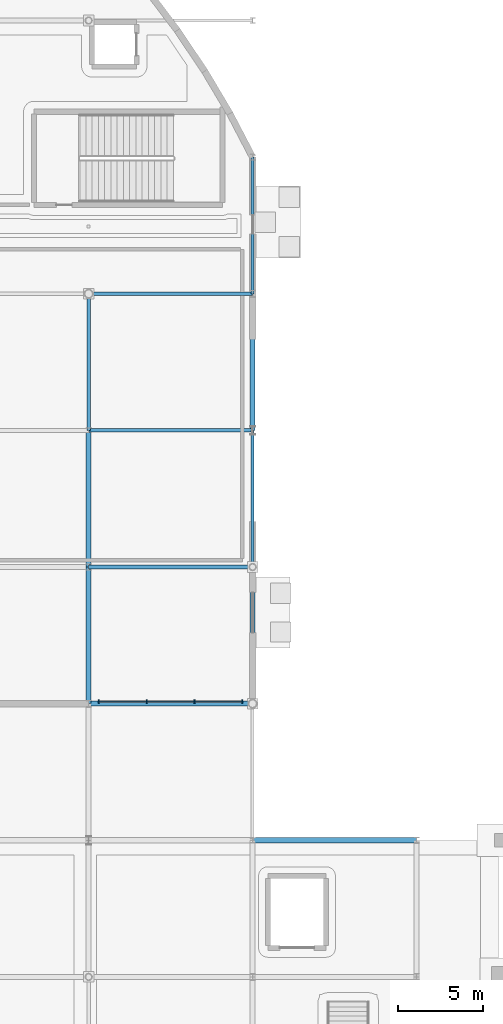
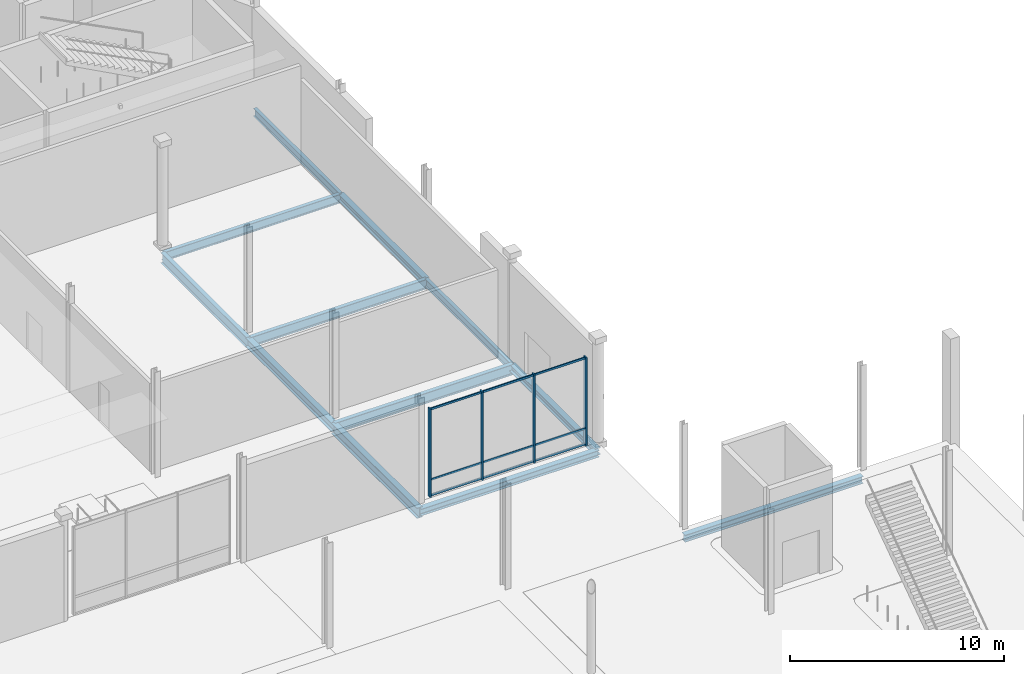
# One storey, part 64 of 124: 12 beams, 7 members, 1 element without a shape of its own.
"""IFC4 building model written with IfcOpenShell, lengths in metres."""

import ifcopenshell
import ifcopenshell.guid

model = None  # the IFC model being written
_history = None  # IfcOwnerHistory: only IFC2X3 demands one
_inside = {}  # id of a spatial element -> (the spatial element, [elements in it])
_under = {}  # id of a project, library or spatial element -> (it, [spatial elements below it])
_declared = {}  # id of a project -> (the project, [libraries it declares])
_typed = {}  # id of a type object -> (the type object, [elements of that type])
_made_of = {}  # id of a material, layer set ... -> (it, [elements and type objects made of it])


def new_model(schema):
    """Start an empty IFC model of exactly this schema.

    Asked for "IFC4X3", IfcOpenShell would pick the latest addendum, in which some entities
    have other attributes; the version numbers below select the first issue.
    IFC2X3 requires an IfcOwnerHistory on every rooted entity: one is made here for all.
    """
    global model, _history
    if schema == "IFC4X3":
        model = ifcopenshell.file(schema_version=(4, 3, 0, 0))
    else:
        model = ifcopenshell.file(schema=schema)
    _inside.clear()
    _under.clear()
    _declared.clear()
    _typed.clear()
    _made_of.clear()
    _history = None
    if model.schema == "IFC2X3":
        org = make("IfcOrganization", Name="unknown")
        user = make(
            "IfcPersonAndOrganization",
            ThePerson=make("IfcPerson", FamilyName="unknown"),
            TheOrganization=org,
        )
        app = make(
            "IfcApplication",
            ApplicationDeveloper=org,
            Version="unknown",
            ApplicationFullName="unknown",
            ApplicationIdentifier="unknown",
        )
        _history = make(
            "IfcOwnerHistory",
            OwningUser=user,
            OwningApplication=app,
            ChangeAction="ADDED",
            CreationDate=0,
        )
    return model


def make(cls, **values):
    """One entity of the class cls with the attributes given. An attribute that is None is left unset."""
    return model.create_entity(
        cls, **{name: value for name, value in values.items() if value is not None}
    )


def rooted(cls, **values):
    """An entity with a GlobalId (a new one), such as an element, a storey or a relation."""
    return make(cls, GlobalId=ifcopenshell.guid.new(), OwnerHistory=_history, **values)


def si_unit(unit_type, name, prefix=None):
    """IfcSIUnit, for example si_unit("LENGTHUNIT", "METRE", prefix="MILLI")."""
    return make("IfcSIUnit", UnitType=unit_type, Prefix=prefix, Name=name)


def assignment(units):
    """IfcUnitAssignment: the units of a project."""
    return None if units is None else make("IfcUnitAssignment", Units=units)


def point(xyz):
    """IfcCartesianPoint."""
    return None if xyz is None else make("IfcCartesianPoint", Coordinates=xyz)


def direction(xyz):
    """IfcDirection."""
    return None if xyz is None else make("IfcDirection", DirectionRatios=xyz)


def frame(location, z_axis=None, x_axis=None):
    """IfcAxis2Placement3D, a coordinate frame: its origin and axes. An axis left out is left unset."""
    return make(
        "IfcAxis2Placement3D",
        Location=point(location),
        Axis=direction(z_axis),
        RefDirection=direction(x_axis),
    )


def frame_2d(location, x_axis=None):
    """IfcAxis2Placement2D, a coordinate frame in the plane: its origin and x axis."""
    return make(
        "IfcAxis2Placement2D", Location=point(location), RefDirection=direction(x_axis)
    )


def origin():
    """The frame at (0, 0, 0) with its axes left unset."""
    return frame((0.0, 0.0, 0.0))


def origin_2d():
    """The frame at (0, 0) in the plane with its x axis left unset."""
    return frame_2d((0.0, 0.0))


def place(relative_to, where):
    """IfcLocalPlacement: puts the frame where relative to a parent placement (None: the world)."""
    return make(
        "IfcLocalPlacement", PlacementRelTo=relative_to, RelativePlacement=where
    )


def context(
    kind, dimensions, precision=None, world=None, true_north=None, identifier=None
):
    """IfcGeometricRepresentationContext, for example the 3D "Model" context."""
    return make(
        "IfcGeometricRepresentationContext",
        ContextIdentifier=identifier,
        ContextType=kind,
        CoordinateSpaceDimension=dimensions,
        Precision=precision,
        WorldCoordinateSystem=world,
        TrueNorth=true_north,
    )


def subcontext(parent, identifier, kind, view, scale=None):
    """IfcGeometricRepresentationSubContext, for example "Body" below "Model"."""
    return make(
        "IfcGeometricRepresentationSubContext",
        ContextIdentifier=identifier,
        ContextType=kind,
        ParentContext=parent,
        TargetScale=scale,
        TargetView=view,
    )


def project(units=None, contexts=None):
    """IfcProject with its units and contexts."""
    return rooted(
        "IfcProject",
        Name="project",
        RepresentationContexts=contexts,
        UnitsInContext=assignment(units),
    )


def spatial(cls, under=None, at=None, **own):
    """A site, building, storey or space (cls), placed at a placement, below another one or the project."""
    s = rooted(cls, ObjectPlacement=at, **own)
    if under is not None:
        _under.setdefault(under.id(), (under, []))[1].append(s)
    return s


def profile(cls, at=None, kind="AREA", **sizes):
    """A parametric profile (cls). Its sizes go by their IFC names, for example OverallWidth=200.0."""
    return make(cls, ProfileType=kind, Position=at, **sizes)


def rectangle(**sizes):
    """IfcRectangleProfileDef."""
    return profile("IfcRectangleProfileDef", **sizes)


def i_section(**sizes):
    """IfcIShapeProfileDef."""
    return profile("IfcIShapeProfileDef", **sizes)


def extrude(swept, where, along, depth):
    """IfcExtrudedAreaSolid: the profile swept, set in the frame where, extruded along a direction by depth."""
    return make(
        "IfcExtrudedAreaSolid",
        SweptArea=swept,
        Position=where,
        ExtrudedDirection=direction(along),
        Depth=depth,
    )


def shape(context_of_items, identifier, shape_type, items):
    """IfcShapeRepresentation: the items that make up one representation, for example the "Body"."""
    return make(
        "IfcShapeRepresentation",
        ContextOfItems=context_of_items,
        RepresentationIdentifier=identifier,
        RepresentationType=shape_type,
        Items=items,
    )


def material(Name=None, Category=None):
    """IfcMaterial."""
    return make("IfcMaterial", Name=Name, Category=Category)


def material_profile(
    of_material, cross_section, Name=None, Category=None, Priority=None
):
    """IfcMaterialProfile: a cross section and its material."""
    return make(
        "IfcMaterialProfile",
        Name=Name,
        Material=of_material,
        Profile=cross_section,
        Priority=Priority,
        Category=Category,
    )


def profile_set(profiles, Name=None, composite=None):
    """IfcMaterialProfileSet."""
    return make(
        "IfcMaterialProfileSet",
        Name=Name,
        MaterialProfiles=profiles,
        CompositeProfile=composite,
    )


def made_of(thing, what):
    """Note that an element or type object is made of a material, layer set ...; save() writes the relation."""
    if what is not None:
        _made_of.setdefault(what.id(), (what, []))[1].append(thing)
    return thing


def type_object(cls, material=None, **own):
    """A type object (cls), such as IfcWallType, which elements share."""
    return made_of(rooted(cls, **own), material)


def element(
    cls,
    number,
    at=None,
    inside=None,
    cuts=None,
    type_object=None,
    material=None,
    context=None,
    identifier="Body",
    shape_type=None,
    held_by="IfcProductDefinitionShape",
    body=None,
    shapes=None,
    **own,
):
    """One element of the class cls, such as IfcWall. Its Tag is "e" and its number.

    at: its placement. inside: the storey or other place that contains it. cuts: it is an
    opening in that element (IfcRelVoidsElement). A single representation is given by context,
    identifier, shape_type and body (its items); several are given by shapes. held_by: the class
    of the entity that holds the representations. save() writes the other relations.
    """
    e = rooted(cls, Tag="e%d" % number, ObjectPlacement=at, **own)
    if body is not None:
        shapes = [shape(context, identifier, shape_type, body)]
    if shapes is not None:
        e.Representation = make(held_by, Representations=shapes)
    if inside is not None:
        _inside.setdefault(inside.id(), (inside, []))[1].append(e)
    if cuts is not None:
        rooted(
            "IfcRelVoidsElement", RelatingBuildingElement=cuts, RelatedOpeningElement=e
        )
    if type_object is not None:
        _typed.setdefault(type_object.id(), (type_object, []))[1].append(e)
    return made_of(e, material)


def aggregate(whole, parts):
    """IfcRelAggregates: a whole, such as a stair, and the parts it consists of."""
    return rooted("IfcRelAggregates", RelatingObject=whole, RelatedObjects=parts)


def save(model, path):
    """Write the relations noted so far, then the file.

    IfcRelAggregates (storeys below a building ...), IfcRelContainedInSpatialStructure (elements
    in a storey), IfcRelDefinesByType, IfcRelAssociatesMaterial and IfcRelDeclares: one each for
    every whole, place, type object, material and project.
    """
    for whole, parts in _under.values():
        aggregate(whole, parts)
    for where, things in _inside.values():
        rooted(
            "IfcRelContainedInSpatialStructure",
            RelatedElements=things,
            RelatingStructure=where,
        )
    for kind, things in _typed.values():
        rooted("IfcRelDefinesByType", RelatedObjects=things, RelatingType=kind)
    for what, things in _made_of.values():
        rooted("IfcRelAssociatesMaterial", RelatedObjects=things, RelatingMaterial=what)
    for by, libraries in _declared.values():
        rooted("IfcRelDeclares", RelatingContext=by, RelatedDefinitions=libraries)
    model.write(path)


model = new_model("IFC4")

# Units and contexts
model_context = context("Model", 3, precision=1e-05, world=origin(), true_north=direction((0.0, 1.0)))
body_context = subcontext(model_context, "Body", "Model", "MODEL_VIEW")
ifc_project = project(units=[si_unit("LENGTHUNIT", "METRE"), si_unit("AREAUNIT", "SQUARE_METRE"), si_unit("VOLUMEUNIT", "CUBIC_METRE"), si_unit("PLANEANGLEUNIT", "RADIAN"), si_unit("MASSUNIT", "GRAM", prefix="KILO")], contexts=[model_context])

# Site, building, storey
site_placement = place(None, origin())
site = spatial("IfcSite", under=ifc_project, at=site_placement, CompositionType="ELEMENT")
building_placement = place(site_placement, origin())
building = spatial("IfcBuilding", under=site, at=building_placement, Name="Danafjord Basin Convention Centre", CompositionType="ELEMENT")
storey_placement = place(building_placement, origin())
storey = spatial("IfcBuildingStorey", under=building, at=storey_placement, Name="L00", CompositionType="ELEMENT", Elevation=0.0)

# Beams
ifc_material_1 = material(Name="Steel S355", Category="steel")
ifc_material_profile_1 = material_profile(ifc_material_1, i_section(OverallWidth=0.300048828125, OverallDepth=0.389892578125, WebThickness=0.010986328125, FlangeThickness=0.01904296875, FilletRadius=0.027099609375, at=origin_2d()), Name="HEA 400")
ifc_profile_set_1 = profile_set([ifc_material_profile_1], Name="Steel S355")
beam_type_1 = type_object("IfcBeamType", Name="BEAM-BM-HEA400", PredefinedType="BEAM", material=ifc_profile_set_1)
beam_1_placement = place(storey_placement, frame((192.0, 88.0, -0.554931640625), z_axis=(1.0, 0.0, 0.0), x_axis=(0.0, 1.0, 0.0)))
element("IfcBeam", 1, at=beam_1_placement, inside=storey, type_object=beam_type_1, Name="L00 girder BM-HEA400", PredefinedType="BEAM", context=body_context, shape_type="SweptSolid", body=[
    extrude(i_section(OverallWidth=0.300048828125, OverallDepth=0.389892578125, WebThickness=0.010986328125, FlangeThickness=0.01904296875, FilletRadius=0.027099609375, at=origin_2d()), origin(), (0.0, 0.0, 1.0), 9.60009765625),
])
ifc_material_profile_2 = material_profile(ifc_material_1, i_section(OverallWidth=0.300048828125, OverallDepth=0.5, WebThickness=0.014404296875, FlangeThickness=0.028076171875, FilletRadius=0.027099609375, at=origin_2d()), Name="HEB 500")
ifc_profile_set_2 = profile_set([ifc_material_profile_2], Name="Steel S355")
beam_type_2 = type_object("IfcBeamType", Name="BEAM-BM-HEB500", PredefinedType="BEAM", material=ifc_profile_set_2)
beam_2_placement = place(storey_placement, frame((192.0, 96.0, -0.590087890625), z_axis=(0.0, 1.0, 0.0), x_axis=(-1.0, 0.0, 0.0)))
element("IfcBeam", 2, at=beam_2_placement, inside=storey, type_object=beam_type_2, Name="L00 transverse girder BM-HEB500", PredefinedType="BEAM", context=body_context, shape_type="SweptSolid", body=[
    extrude(i_section(OverallWidth=0.300048828125, OverallDepth=0.5, WebThickness=0.014404296875, FlangeThickness=0.028076171875, FilletRadius=0.027099609375, at=origin_2d()), origin(), (0.0, 0.0, 1.0), 8.0),
])
ifc_material_profile_3 = material_profile(ifc_material_1, i_section(OverallWidth=0.300048828125, OverallDepth=0.60009765625, WebThickness=0.015380859375, FlangeThickness=0.030029296875, FilletRadius=0.027099609375, at=origin_2d()), Name="HEB 600")
ifc_profile_set_3 = profile_set([ifc_material_profile_3], Name="Steel S355")
beam_type_3 = type_object("IfcBeamType", Name="BEAM-BM-HEB600", PredefinedType="BEAM", material=ifc_profile_set_3)
beam_3_placement = place(storey_placement, frame((192.0, 88.0, -0.639892578125), z_axis=(0.0, 1.0, 0.0), x_axis=(-1.0, 0.0, 0.0)))
element("IfcBeam", 3, at=beam_3_placement, inside=storey, type_object=beam_type_3, Name="L00 transverse girder BM-HEB600", PredefinedType="BEAM", context=body_context, shape_type="SweptSolid", body=[
    extrude(i_section(OverallWidth=0.300048828125, OverallDepth=0.60009765625, WebThickness=0.015380859375, FlangeThickness=0.030029296875, FilletRadius=0.027099609375, at=origin_2d()), origin(), (0.0, 0.0, 1.0), 8.0),
])
ifc_material_profile_4 = material_profile(ifc_material_1, i_section(OverallWidth=0.199951171875, OverallDepth=0.5, WebThickness=0.01025390625, FlangeThickness=0.01611328125, FilletRadius=0.02099609375, at=origin_2d()), Name="IPE 500")
ifc_profile_set_4 = profile_set([ifc_material_profile_4], Name="Steel S355")
beam_type_4 = type_object("IfcBeamType", Name="BEAM-BM-IPE500", PredefinedType="BEAM", material=ifc_profile_set_4)
beam_4_placement = place(storey_placement, frame((192.0, 112.0, -0.590087890625), z_axis=(1.0, 0.0, 0.0), x_axis=(0.0, 1.0, 0.0)))
element("IfcBeam", 4, at=beam_4_placement, inside=storey, type_object=beam_type_4, Name="L00 girder BM-IPE500", PredefinedType="BEAM", context=body_context, shape_type="SweptSolid", body=[
    extrude(i_section(OverallWidth=0.199951171875, OverallDepth=0.5, WebThickness=0.01025390625, FlangeThickness=0.01611328125, FilletRadius=0.02099609375, at=origin_2d()), origin(), (0.0, 0.0, 1.0), 9.60009765625),
])
ifc_material_profile_5 = material_profile(ifc_material_1, i_section(OverallWidth=0.2099609375, OverallDepth=0.550048828125, WebThickness=0.010986328125, FlangeThickness=0.01708984375, FilletRadius=0.02392578125, at=origin_2d()), Name="IPE 550")
ifc_profile_set_5 = profile_set([ifc_material_profile_5], Name="Steel S355")
beam_type_5 = type_object("IfcBeamType", Name="BEAM-BM-IPE550", PredefinedType="BEAM", material=ifc_profile_set_5)
beam_5_placement = place(storey_placement, frame((192.0, 104.0, -0.614990234375), z_axis=(1.0, 0.0, 0.0), x_axis=(0.0, 1.0, 0.0)))
element("IfcBeam", 5, at=beam_5_placement, inside=storey, type_object=beam_type_5, Name="L00 girder BM-IPE550", PredefinedType="BEAM", context=body_context, shape_type="SweptSolid", body=[
    extrude(i_section(OverallWidth=0.2099609375, OverallDepth=0.550048828125, WebThickness=0.010986328125, FlangeThickness=0.01708984375, FilletRadius=0.02392578125, at=origin_2d()), origin(), (0.0, 0.0, 1.0), 9.60009765625),
])
ifc_material_profile_6 = material_profile(ifc_material_1, i_section(OverallWidth=0.219970703125, OverallDepth=0.60009765625, WebThickness=0.011962890625, FlangeThickness=0.01904296875, FilletRadius=0.02392578125, at=origin_2d()), Name="IPE 600")
ifc_profile_set_6 = profile_set([ifc_material_profile_6], Name="Steel S355")
beam_type_6 = type_object("IfcBeamType", Name="BEAM-BM-IPE600", PredefinedType="BEAM", material=ifc_profile_set_6)
beam_6_placement = place(storey_placement, frame((192.0, 96.0, -0.639892578125), z_axis=(1.0, 0.0, 0.0), x_axis=(0.0, 1.0, 0.0)))
element("IfcBeam", 6, at=beam_6_placement, inside=storey, type_object=beam_type_6, Name="L00 girder BM-IPE600", PredefinedType="BEAM", context=body_context, shape_type="SweptSolid", body=[
    extrude(i_section(OverallWidth=0.219970703125, OverallDepth=0.60009765625, WebThickness=0.011962890625, FlangeThickness=0.01904296875, FilletRadius=0.02392578125, at=origin_2d()), origin(), (0.0, 0.0, 1.0), 9.60009765625),
])
beam_7_placement = place(storey_placement, frame((192.0, 104.0, -0.639892578125), z_axis=(0.0, 1.0, 0.0), x_axis=(-1.0, 0.0, 0.0)))
element("IfcBeam", 7, at=beam_7_placement, inside=storey, type_object=beam_type_6, Name="L00 transverse girder BM-IPE600", PredefinedType="BEAM", context=body_context, shape_type="SweptSolid", body=[
    extrude(i_section(OverallWidth=0.219970703125, OverallDepth=0.60009765625, WebThickness=0.011962890625, FlangeThickness=0.01904296875, FilletRadius=0.02392578125, at=origin_2d()), origin(), (0.0, 0.0, 1.0), 8.0),
])
ifc_material_profile_7 = material_profile(ifc_material_1, i_section(OverallWidth=0.300048828125, OverallDepth=0.39990234375, WebThickness=0.013427734375, FlangeThickness=0.02392578125, FilletRadius=0.027099609375, at=origin_2d()), Name="HEB 400")
ifc_profile_set_7 = profile_set([ifc_material_profile_7], Name="Steel S355")
beam_type_7 = type_object("IfcBeamType", Name="BEAM-SP-HEB400", PredefinedType="SPANDREL", material=ifc_profile_set_7)
beam_8_placement = place(storey_placement, frame((201.60009765625, 80.0, -0.56005859375), z_axis=(1.0, 0.0, 0.0), x_axis=(0.0, 1.0, 0.0)))
element("IfcBeam", 8, at=beam_8_placement, inside=storey, type_object=beam_type_7, Name="L00 girder SP-HEB400", PredefinedType="SPANDREL", context=body_context, shape_type="SweptSolid", body=[
    extrude(i_section(OverallWidth=0.300048828125, OverallDepth=0.39990234375, WebThickness=0.013427734375, FlangeThickness=0.02392578125, FilletRadius=0.027099609375, at=origin_2d()), origin(), (0.0, 0.0, 1.0), 9.599853515625),
])
for number, where, z_axis, x_axis, name in (
    (9, (201.60009765625, 88.0, -0.5400390625), (0.0, 1.0, 0.0), (-1.0, 0.0, 0.0), "L00 transverse girder SP-HEB400"),
    (10, (201.60009765625, 104.0, -0.5400390625), (0.0, 1.0, 0.0), (-1.0, 0.0, 0.0), "L00 transverse girder SP-HEB400"),
):
    element("IfcBeam", number, at=place(storey_placement, frame(where, z_axis=z_axis, x_axis=x_axis)), inside=storey, type_object=beam_type_7, Name=name, PredefinedType="SPANDREL", context=body_context, shape_type="SweptSolid", body=[
        extrude(i_section(OverallWidth=0.300048828125, OverallDepth=0.39990234375, WebThickness=0.013427734375, FlangeThickness=0.02392578125, FilletRadius=0.027099609375, at=origin_2d()), origin(), (0.0, 0.0, 1.0), 8.0),
    ])
ifc_material_profile_8 = material_profile(ifc_material_1, i_section(OverallWidth=0.18994140625, OverallDepth=0.449951171875, WebThickness=0.009521484375, FlangeThickness=0.0146484375, FilletRadius=0.02099609375, at=origin_2d()), Name="IPE 450")
ifc_profile_set_8 = profile_set([ifc_material_profile_8], Name="Steel S355")
beam_type_8 = type_object("IfcBeamType", Name="BEAM-SP-IPE450", PredefinedType="SPANDREL", material=ifc_profile_set_8)
for number, where, z_axis, x_axis, name in (
    (11, (201.60009765625, 96.0, -0.56494140625), (0.0, 1.0, 0.0), (-1.0, 0.0, 0.0), "L00 transverse girder SP-IPE450"),
    (12, (201.60009765625, 112.0, -0.56494140625), (0.0, 1.0, 0.0), (-1.0, 0.0, 0.0), "L00 transverse girder SP-IPE450"),
):
    element("IfcBeam", number, at=place(storey_placement, frame(where, z_axis=z_axis, x_axis=x_axis)), inside=storey, type_object=beam_type_8, Name=name, PredefinedType="SPANDREL", context=body_context, shape_type="SweptSolid", body=[
        extrude(i_section(OverallWidth=0.18994140625, OverallDepth=0.449951171875, WebThickness=0.009521484375, FlangeThickness=0.0146484375, FilletRadius=0.02099609375, at=origin_2d()), origin(), (0.0, 0.0, 1.0), 8.0),
    ])

# Curtain wall, members
ifc_material_2 = material(Name="Anodised aluminium and triple glazing", Category="aluminium")
curtain_wall_type = type_object("IfcCurtainWallType", Name="CW-CW-DRUM", PredefinedType="NOTDEFINED", material=ifc_material_2)
curtain_wall_placement = place(storey_placement, origin())
curtain_wall = element("IfcCurtainWall", 13, at=curtain_wall_placement, inside=storey, type_object=curtain_wall_type, Name="L00 CW-DRUM unitised curtain wall bay 117", PredefinedType="NOTDEFINED")
ifc_material_3 = material(Name="Anodised aluminium EN AW-6060", Category="aluminium")
ifc_material_profile_9 = material_profile(ifc_material_3, rectangle(XDim=0.06494140625, YDim=0.219970703125, at=origin_2d()), Name="MULL 65x220")
ifc_profile_set_9 = profile_set([ifc_material_profile_9], Name="Anodised aluminium EN AW-6060")
member_type_1 = type_object("IfcMemberType", Name="MEM-ML-220", PredefinedType="MULLION", material=ifc_profile_set_9)
member_1_placement = place(storey_placement, frame((192.60009765625, 88.1201171875, -0.02490234375), z_axis=(0.0, 0.0, 1.0), x_axis=(1.0, 0.0, 0.0)))
member_1 = element("IfcMember", 14, at=member_1_placement, type_object=member_type_1, Name="CW-L00-117 mullion 1", PredefinedType="MULLION", context=body_context, shape_type="SweptSolid", body=[
    extrude(rectangle(XDim=0.06494140625, YDim=0.219970703125, at=origin_2d()), origin(), (0.0, 0.0, 1.0), 5.054931640625),
])
member_2_placement = place(storey_placement, frame((195.39990234375, 88.1201171875, -0.02490234375), z_axis=(0.0, 0.0, 1.0), x_axis=(1.0, 0.0, 0.0)))
member_2 = element("IfcMember", 15, at=member_2_placement, type_object=member_type_1, Name="CW-L00-117 mullion 2", PredefinedType="MULLION", context=body_context, shape_type="SweptSolid", body=[
    extrude(rectangle(XDim=0.06494140625, YDim=0.219970703125, at=origin_2d()), origin(), (0.0, 0.0, 1.0), 5.054931640625),
])
member_3_placement = place(storey_placement, frame((198.199951171875, 88.1201171875, -0.02490234375), z_axis=(0.0, 0.0, 1.0), x_axis=(1.0, 0.0, 0.0)))
member_3 = element("IfcMember", 16, at=member_3_placement, type_object=member_type_1, Name="CW-L00-117 mullion 3", PredefinedType="MULLION", context=body_context, shape_type="SweptSolid", body=[
    extrude(rectangle(XDim=0.06494140625, YDim=0.219970703125, at=origin_2d()), origin(), (0.0, 0.0, 1.0), 5.054931640625),
])
member_4_placement = place(storey_placement, frame((201.0, 88.1201171875, -0.02490234375), z_axis=(0.0, 0.0, 1.0), x_axis=(1.0, 0.0, 0.0)))
member_4 = element("IfcMember", 17, at=member_4_placement, type_object=member_type_1, Name="CW-L00-117 mullion 4", PredefinedType="MULLION", context=body_context, shape_type="SweptSolid", body=[
    extrude(rectangle(XDim=0.06494140625, YDim=0.219970703125, at=origin_2d()), origin(), (0.0, 0.0, 1.0), 5.054931640625),
])
ifc_material_profile_10 = material_profile(ifc_material_3, rectangle(XDim=0.06005859375, YDim=0.110107421875, at=origin_2d()), Name="TRAN 60x110")
ifc_profile_set_10 = profile_set([ifc_material_profile_10], Name="Anodised aluminium EN AW-6060")
member_type_2 = type_object("IfcMemberType", Name="MEM-TR-110", PredefinedType="USERDEFINED", material=ifc_profile_set_10)
member_5_placement = place(storey_placement, frame((192.60009765625, 88.1201171875, 0.06005859375), z_axis=(1.0, 0.0, 0.0), x_axis=(0.0, 1.0, 0.0)))
member_5 = element("IfcMember", 18, at=member_5_placement, type_object=member_type_2, Name="CW-L00-117 transom 1", ObjectType="TRANSOM", PredefinedType="USERDEFINED", context=body_context, shape_type="SweptSolid", body=[
    extrude(rectangle(XDim=0.06005859375, YDim=0.110107421875, at=origin_2d()), origin(), (0.0, 0.0, 1.0), 8.39990234375),
])
member_6_placement = place(storey_placement, frame((192.60009765625, 88.1201171875, 0.949951171875), z_axis=(1.0, 0.0, 0.0), x_axis=(0.0, 1.0, 0.0)))
member_6 = element("IfcMember", 19, at=member_6_placement, type_object=member_type_2, Name="CW-L00-117 transom 2", ObjectType="TRANSOM", PredefinedType="USERDEFINED", context=body_context, shape_type="SweptSolid", body=[
    extrude(rectangle(XDim=0.06005859375, YDim=0.110107421875, at=origin_2d()), origin(), (0.0, 0.0, 1.0), 8.39990234375),
])
member_7_placement = place(storey_placement, frame((192.60009765625, 88.1201171875, 4.9599609375), z_axis=(1.0, 0.0, 0.0), x_axis=(0.0, 1.0, 0.0)))
member_7 = element("IfcMember", 20, at=member_7_placement, type_object=member_type_2, Name="CW-L00-117 transom 3", ObjectType="TRANSOM", PredefinedType="USERDEFINED", context=body_context, shape_type="SweptSolid", body=[
    extrude(rectangle(XDim=0.06005859375, YDim=0.110107421875, at=origin_2d()), origin(), (0.0, 0.0, 1.0), 8.39990234375),
])
aggregate(curtain_wall, [member_1, member_2, member_3, member_4, member_5, member_6, member_7])

save(model, "model.ifc")
